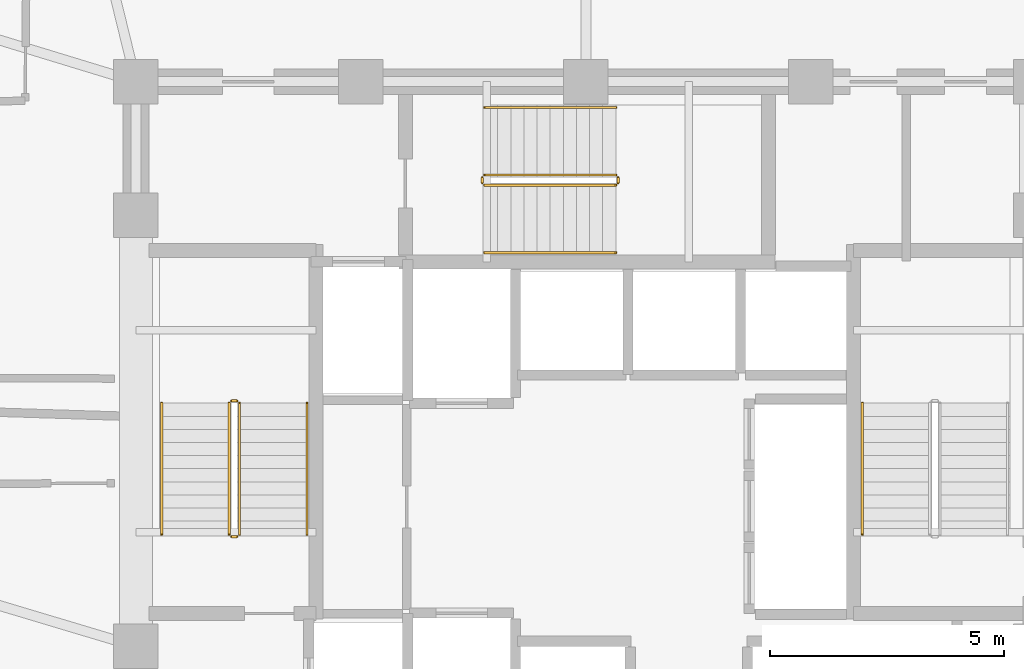
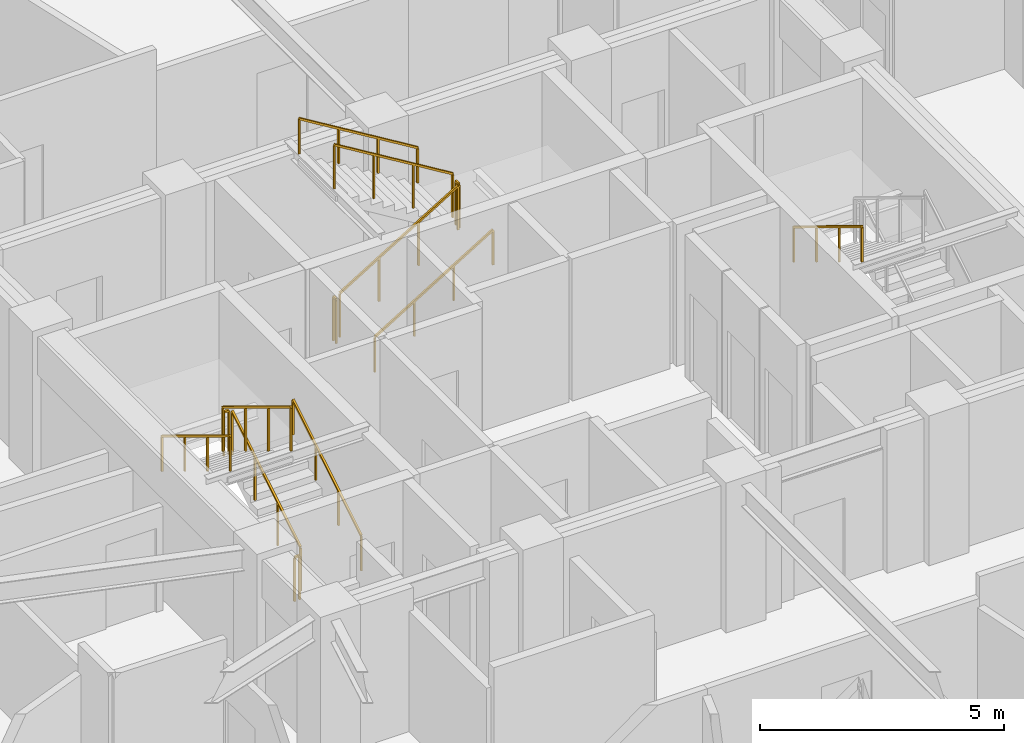
# One storey, part 13 of 15: 13 railings.
"""IFC4 building model written with IfcOpenShell, lengths in metres."""

import ifcopenshell
import ifcopenshell.guid

model = None  # the IFC model being written
_history = None  # IfcOwnerHistory: only IFC2X3 demands one
_inside = {}  # id of a spatial element -> (the spatial element, [elements in it])
_under = {}  # id of a project, library or spatial element -> (it, [spatial elements below it])
_declared = {}  # id of a project -> (the project, [libraries it declares])
_typed = {}  # id of a type object -> (the type object, [elements of that type])
_made_of = {}  # id of a material, layer set ... -> (it, [elements and type objects made of it])


def new_model(schema):
    """Start an empty IFC model of exactly this schema.

    Asked for "IFC4X3", IfcOpenShell would pick the latest addendum, in which some entities
    have other attributes; the version numbers below select the first issue.
    IFC2X3 requires an IfcOwnerHistory on every rooted entity: one is made here for all.
    """
    global model, _history
    if schema == "IFC4X3":
        model = ifcopenshell.file(schema_version=(4, 3, 0, 0))
    else:
        model = ifcopenshell.file(schema=schema)
    _inside.clear()
    _under.clear()
    _declared.clear()
    _typed.clear()
    _made_of.clear()
    _history = None
    if model.schema == "IFC2X3":
        org = make("IfcOrganization", Name="unknown")
        user = make(
            "IfcPersonAndOrganization",
            ThePerson=make("IfcPerson", FamilyName="unknown"),
            TheOrganization=org,
        )
        app = make(
            "IfcApplication",
            ApplicationDeveloper=org,
            Version="unknown",
            ApplicationFullName="unknown",
            ApplicationIdentifier="unknown",
        )
        _history = make(
            "IfcOwnerHistory",
            OwningUser=user,
            OwningApplication=app,
            ChangeAction="ADDED",
            CreationDate=0,
        )
    return model


def make(cls, **values):
    """One entity of the class cls with the attributes given. An attribute that is None is left unset."""
    return model.create_entity(
        cls, **{name: value for name, value in values.items() if value is not None}
    )


def rooted(cls, **values):
    """An entity with a GlobalId (a new one), such as an element, a storey or a relation."""
    return make(cls, GlobalId=ifcopenshell.guid.new(), OwnerHistory=_history, **values)


def si_unit(unit_type, name, prefix=None):
    """IfcSIUnit, for example si_unit("LENGTHUNIT", "METRE", prefix="MILLI")."""
    return make("IfcSIUnit", UnitType=unit_type, Prefix=prefix, Name=name)


def assignment(units):
    """IfcUnitAssignment: the units of a project."""
    return None if units is None else make("IfcUnitAssignment", Units=units)


def point(xyz):
    """IfcCartesianPoint."""
    return None if xyz is None else make("IfcCartesianPoint", Coordinates=xyz)


def direction(xyz):
    """IfcDirection."""
    return None if xyz is None else make("IfcDirection", DirectionRatios=xyz)


def frame(location, z_axis=None, x_axis=None):
    """IfcAxis2Placement3D, a coordinate frame: its origin and axes. An axis left out is left unset."""
    return make(
        "IfcAxis2Placement3D",
        Location=point(location),
        Axis=direction(z_axis),
        RefDirection=direction(x_axis),
    )


def frame_2d(location, x_axis=None):
    """IfcAxis2Placement2D, a coordinate frame in the plane: its origin and x axis."""
    return make(
        "IfcAxis2Placement2D", Location=point(location), RefDirection=direction(x_axis)
    )


def origin():
    """The frame at (0, 0, 0) with its axes left unset."""
    return frame((0.0, 0.0, 0.0))


def origin_2d():
    """The frame at (0, 0) in the plane with its x axis left unset."""
    return frame_2d((0.0, 0.0))


def place(relative_to, where):
    """IfcLocalPlacement: puts the frame where relative to a parent placement (None: the world)."""
    return make(
        "IfcLocalPlacement", PlacementRelTo=relative_to, RelativePlacement=where
    )


def context(
    kind, dimensions, precision=None, world=None, true_north=None, identifier=None
):
    """IfcGeometricRepresentationContext, for example the 3D "Model" context."""
    return make(
        "IfcGeometricRepresentationContext",
        ContextIdentifier=identifier,
        ContextType=kind,
        CoordinateSpaceDimension=dimensions,
        Precision=precision,
        WorldCoordinateSystem=world,
        TrueNorth=true_north,
    )


def subcontext(parent, identifier, kind, view, scale=None):
    """IfcGeometricRepresentationSubContext, for example "Body" below "Model"."""
    return make(
        "IfcGeometricRepresentationSubContext",
        ContextIdentifier=identifier,
        ContextType=kind,
        ParentContext=parent,
        TargetScale=scale,
        TargetView=view,
    )


def project(units=None, contexts=None):
    """IfcProject with its units and contexts."""
    return rooted(
        "IfcProject",
        Name="project",
        RepresentationContexts=contexts,
        UnitsInContext=assignment(units),
    )


def spatial(cls, under=None, at=None, **own):
    """A site, building, storey or space (cls), placed at a placement, below another one or the project."""
    s = rooted(cls, ObjectPlacement=at, **own)
    if under is not None:
        _under.setdefault(under.id(), (under, []))[1].append(s)
    return s


def profile(cls, at=None, kind="AREA", **sizes):
    """A parametric profile (cls). Its sizes go by their IFC names, for example OverallWidth=200.0."""
    return make(cls, ProfileType=kind, Position=at, **sizes)


def rectangle(**sizes):
    """IfcRectangleProfileDef."""
    return profile("IfcRectangleProfileDef", **sizes)


def extrude(swept, where, along, depth):
    """IfcExtrudedAreaSolid: the profile swept, set in the frame where, extruded along a direction by depth."""
    return make(
        "IfcExtrudedAreaSolid",
        SweptArea=swept,
        Position=where,
        ExtrudedDirection=direction(along),
        Depth=depth,
    )


def shape(context_of_items, identifier, shape_type, items):
    """IfcShapeRepresentation: the items that make up one representation, for example the "Body"."""
    return make(
        "IfcShapeRepresentation",
        ContextOfItems=context_of_items,
        RepresentationIdentifier=identifier,
        RepresentationType=shape_type,
        Items=items,
    )


def material(Name=None, Category=None):
    """IfcMaterial."""
    return make("IfcMaterial", Name=Name, Category=Category)


def made_of(thing, what):
    """Note that an element or type object is made of a material, layer set ...; save() writes the relation."""
    if what is not None:
        _made_of.setdefault(what.id(), (what, []))[1].append(thing)
    return thing


def type_object(cls, material=None, **own):
    """A type object (cls), such as IfcWallType, which elements share."""
    return made_of(rooted(cls, **own), material)


def element(
    cls,
    number,
    at=None,
    inside=None,
    cuts=None,
    type_object=None,
    material=None,
    context=None,
    identifier="Body",
    shape_type=None,
    held_by="IfcProductDefinitionShape",
    body=None,
    shapes=None,
    **own,
):
    """One element of the class cls, such as IfcWall. Its Tag is "e" and its number.

    at: its placement. inside: the storey or other place that contains it. cuts: it is an
    opening in that element (IfcRelVoidsElement). A single representation is given by context,
    identifier, shape_type and body (its items); several are given by shapes. held_by: the class
    of the entity that holds the representations. save() writes the other relations.
    """
    e = rooted(cls, Tag="e%d" % number, ObjectPlacement=at, **own)
    if body is not None:
        shapes = [shape(context, identifier, shape_type, body)]
    if shapes is not None:
        e.Representation = make(held_by, Representations=shapes)
    if inside is not None:
        _inside.setdefault(inside.id(), (inside, []))[1].append(e)
    if cuts is not None:
        rooted(
            "IfcRelVoidsElement", RelatingBuildingElement=cuts, RelatedOpeningElement=e
        )
    if type_object is not None:
        _typed.setdefault(type_object.id(), (type_object, []))[1].append(e)
    return made_of(e, material)


def aggregate(whole, parts):
    """IfcRelAggregates: a whole, such as a stair, and the parts it consists of."""
    return rooted("IfcRelAggregates", RelatingObject=whole, RelatedObjects=parts)


def save(model, path):
    """Write the relations noted so far, then the file.

    IfcRelAggregates (storeys below a building ...), IfcRelContainedInSpatialStructure (elements
    in a storey), IfcRelDefinesByType, IfcRelAssociatesMaterial and IfcRelDeclares: one each for
    every whole, place, type object, material and project.
    """
    for whole, parts in _under.values():
        aggregate(whole, parts)
    for where, things in _inside.values():
        rooted(
            "IfcRelContainedInSpatialStructure",
            RelatedElements=things,
            RelatingStructure=where,
        )
    for kind, things in _typed.values():
        rooted("IfcRelDefinesByType", RelatedObjects=things, RelatingType=kind)
    for what, things in _made_of.values():
        rooted("IfcRelAssociatesMaterial", RelatedObjects=things, RelatingMaterial=what)
    for by, libraries in _declared.values():
        rooted("IfcRelDeclares", RelatingContext=by, RelatedDefinitions=libraries)
    model.write(path)


model = new_model("IFC4")

# Units and contexts
model_context = context("Model", 3, precision=1e-05, world=origin(), true_north=direction((0.0, 1.0)))
body_context = subcontext(model_context, "Body", "Model", "MODEL_VIEW")
ifc_project = project(units=[si_unit("LENGTHUNIT", "METRE"), si_unit("AREAUNIT", "SQUARE_METRE"), si_unit("VOLUMEUNIT", "CUBIC_METRE"), si_unit("PLANEANGLEUNIT", "RADIAN"), si_unit("MASSUNIT", "GRAM", prefix="KILO")], contexts=[model_context])

# Site, building, storey
site_placement = place(None, origin())
site = spatial("IfcSite", under=ifc_project, at=site_placement, CompositionType="ELEMENT")
building_placement = place(site_placement, origin())
building = spatial("IfcBuilding", under=site, at=building_placement, Name="Vantalir Tower", CompositionType="ELEMENT")
storey_placement = place(building_placement, frame((0.0, 0.0, 134.699951171875)))
storey = spatial("IfcBuildingStorey", under=building, at=storey_placement, Name="L33", CompositionType="ELEMENT", Elevation=134.699951171875)

# Railings
ifc_material_1 = material(Name="Anodised aluminium and stainless steel guard", Category="steel")
railing_type_1 = type_object("IfcRailingType", Name="RAL-GUARD-1120", PredefinedType="GUARDRAIL", material=ifc_material_1)
railing_1_placement = place(storey_placement, frame((24.110107421875, 22.7900390625, 0.17041015625)))
element("IfcRailing", 1, at=railing_1_placement, inside=storey, type_object=railing_type_1, Name="L33 ST1 stair guard 1", PredefinedType="GUARDRAIL", context=body_context, shape_type="SweptSolid", body=[
    extrude(rectangle(XDim=0.048095703125, YDim=0.048095703125, at=origin_2d()), frame((0.0, 0.0, 1.09619140625), z_axis=(0.0, 0.854169791009, 0.51999420009), x_axis=(-1.0, 0.0, 0.0)), (0.0, 0.0, 1.0), 3.278076171875),
    extrude(rectangle(XDim=0.0419921875, YDim=0.0419921875, at=origin_2d()), origin(), (0.0, 0.0, 1.0), 1.072021484375),
    extrude(rectangle(XDim=0.0419921875, YDim=0.0419921875, at=origin_2d()), frame((0.0, 0.933349609375, 0.568115234375)), (0.0, 0.0, 1.0), 1.072021484375),
    extrude(rectangle(XDim=0.0419921875, YDim=0.0419921875, at=origin_2d()), frame((0.0, 1.86669921875, 1.136474609375)), (0.0, 0.0, 1.0), 1.072021484375),
    extrude(rectangle(XDim=0.0419921875, YDim=0.0419921875, at=origin_2d()), frame((0.0, 2.800048828125, 1.70458984375)), (0.0, 0.0, 1.0), 1.072021484375),
])
railing_2_placement = place(storey_placement, frame((24.06005859375, 25.639892578125, 1.875)))
element("IfcRailing", 2, at=railing_2_placement, inside=storey, type_object=railing_type_1, Name="L33 ST1 stair guard 2", PredefinedType="GUARDRAIL", context=body_context, shape_type="SweptSolid", body=[
    extrude(rectangle(XDim=0.048095703125, YDim=0.048095703125, at=origin_2d()), frame((0.0, 0.0, 1.09619140625), z_axis=(-1.0, 0.0, 0.0), x_axis=(0.0, -1.0, 0.0)), (0.0, 0.0, 1.0), 0.1201171875),
    extrude(rectangle(XDim=0.0419921875, YDim=0.0419921875, at=origin_2d()), origin(), (0.0, 0.0, 1.0), 1.072021484375),
    extrude(rectangle(XDim=0.0419921875, YDim=0.0419921875, at=origin_2d()), frame((-0.1201171875, 0.0, 0.0)), (0.0, 0.0, 1.0), 1.072021484375),
])
railing_3_placement = place(storey_placement, frame((23.889892578125, 25.590087890625, 2.04541015625)))
element("IfcRailing", 3, at=railing_3_placement, inside=storey, type_object=railing_type_1, Name="L33 ST1 stair guard 3", PredefinedType="GUARDRAIL", context=body_context, shape_type="SweptSolid", body=[
    extrude(rectangle(XDim=0.048095703125, YDim=0.048095703125, at=origin_2d()), frame((0.0, 0.0, 1.09619140625), z_axis=(0.0, -0.854169791009, 0.51999420009), x_axis=(1.0, 0.0, 0.0)), (0.0, 0.0, 1.0), 3.278076171875),
    extrude(rectangle(XDim=0.0419921875, YDim=0.0419921875, at=origin_2d()), origin(), (0.0, 0.0, 1.0), 1.072021484375),
    extrude(rectangle(XDim=0.0419921875, YDim=0.0419921875, at=origin_2d()), frame((0.0, -0.933349609375, 0.568115234375)), (0.0, 0.0, 1.0), 1.072021484375),
    extrude(rectangle(XDim=0.0419921875, YDim=0.0419921875, at=origin_2d()), frame((0.0, -1.86669921875, 1.136474609375)), (0.0, 0.0, 1.0), 1.072021484375),
    extrude(rectangle(XDim=0.0419921875, YDim=0.0419921875, at=origin_2d()), frame((0.0, -2.800048828125, 1.70458984375)), (0.0, 0.0, 1.0), 1.072021484375),
])
railing_4_placement = place(storey_placement, frame((24.06005859375, 22.739990234375, 0.0)))
element("IfcRailing", 4, at=railing_4_placement, inside=storey, type_object=railing_type_1, Name="L33 ST1 stair guard 4", PredefinedType="GUARDRAIL", context=body_context, shape_type="SweptSolid", body=[
    extrude(rectangle(XDim=0.048095703125, YDim=0.048095703125, at=origin_2d()), frame((0.0, 0.0, 1.09619140625), z_axis=(-1.0, 0.0, 0.0), x_axis=(0.0, -1.0, 0.0)), (0.0, 0.0, 1.0), 0.1201171875),
    extrude(rectangle(XDim=0.0419921875, YDim=0.0419921875, at=origin_2d()), origin(), (0.0, 0.0, 1.0), 1.072021484375),
    extrude(rectangle(XDim=0.0419921875, YDim=0.0419921875, at=origin_2d()), frame((-0.1201171875, 0.0, 0.0)), (0.0, 0.0, 1.0), 1.072021484375),
])
railing_5_placement = place(storey_placement, frame((29.340087890625, 30.239990234375, 0.17041015625)))
element("IfcRailing", 5, at=railing_5_placement, inside=storey, type_object=railing_type_1, Name="L33 ST3 stair guard 1", PredefinedType="GUARDRAIL", context=body_context, shape_type="SweptSolid", body=[
    extrude(rectangle(XDim=0.048095703125, YDim=0.048095703125, at=origin_2d()), frame((0.0, 0.0, 1.09619140625), z_axis=(0.854149651119, 0.0, 0.520027281489), x_axis=(0.0, 1.0, 0.0)), (0.0, 0.0, 1.0), 3.27783203125),
    extrude(rectangle(XDim=0.0419921875, YDim=0.0419921875, at=origin_2d()), origin(), (0.0, 0.0, 1.0), 1.072021484375),
    extrude(rectangle(XDim=0.0419921875, YDim=0.0419921875, at=origin_2d()), frame((0.933349609375, 0.0, 0.568115234375)), (0.0, 0.0, 1.0), 1.072021484375),
    extrude(rectangle(XDim=0.0419921875, YDim=0.0419921875, at=origin_2d()), frame((1.866455078125, 0.0, 1.136474609375)), (0.0, 0.0, 1.0), 1.072021484375),
    extrude(rectangle(XDim=0.0419921875, YDim=0.0419921875, at=origin_2d()), frame((2.7998046875, 0.0, 1.70458984375)), (0.0, 0.0, 1.0), 1.072021484375),
])
railing_6_placement = place(storey_placement, frame((32.18994140625, 30.2900390625, 1.875)))
element("IfcRailing", 6, at=railing_6_placement, inside=storey, type_object=railing_type_1, Name="L33 ST3 stair guard 2", PredefinedType="GUARDRAIL", context=body_context, shape_type="SweptSolid", body=[
    extrude(rectangle(XDim=0.048095703125, YDim=0.048095703125, at=origin_2d()), frame((0.0, 0.0, 1.09619140625), z_axis=(0.0, 1.0, 0.0), x_axis=(-1.0, 0.0, 0.0)), (0.0, 0.0, 1.0), 0.119873046875),
    extrude(rectangle(XDim=0.0419921875, YDim=0.0419921875, at=origin_2d()), origin(), (0.0, 0.0, 1.0), 1.072021484375),
    extrude(rectangle(XDim=0.0419921875, YDim=0.0419921875, at=origin_2d()), frame((0.0, 0.119873046875, 0.0)), (0.0, 0.0, 1.0), 1.072021484375),
])
railing_7_placement = place(storey_placement, frame((32.139892578125, 30.4599609375, 2.04541015625)))
element("IfcRailing", 7, at=railing_7_placement, inside=storey, type_object=railing_type_1, Name="L33 ST3 stair guard 3", PredefinedType="GUARDRAIL", context=body_context, shape_type="SweptSolid", body=[
    extrude(rectangle(XDim=0.048095703125, YDim=0.048095703125, at=origin_2d()), frame((0.0, 0.0, 1.09619140625), z_axis=(-0.854149651119, 0.0, 0.520027281489), x_axis=(0.0, -1.0, 0.0)), (0.0, 0.0, 1.0), 3.27783203125),
    extrude(rectangle(XDim=0.0419921875, YDim=0.0419921875, at=origin_2d()), origin(), (0.0, 0.0, 1.0), 1.072021484375),
    extrude(rectangle(XDim=0.0419921875, YDim=0.0419921875, at=origin_2d()), frame((-0.933349609375, 0.0, 0.568115234375)), (0.0, 0.0, 1.0), 1.072021484375),
    extrude(rectangle(XDim=0.0419921875, YDim=0.0419921875, at=origin_2d()), frame((-1.866455078125, 0.0, 1.136474609375)), (0.0, 0.0, 1.0), 1.072021484375),
    extrude(rectangle(XDim=0.0419921875, YDim=0.0419921875, at=origin_2d()), frame((-2.7998046875, 0.0, 1.70458984375)), (0.0, 0.0, 1.0), 1.072021484375),
])
railing_8_placement = place(storey_placement, frame((29.2900390625, 30.2900390625, 0.0)))
element("IfcRailing", 8, at=railing_8_placement, inside=storey, type_object=railing_type_1, Name="L33 ST3 stair guard 4", PredefinedType="GUARDRAIL", context=body_context, shape_type="SweptSolid", body=[
    extrude(rectangle(XDim=0.048095703125, YDim=0.048095703125, at=origin_2d()), frame((0.0, 0.0, 1.09619140625), z_axis=(0.0, 1.0, 0.0), x_axis=(-1.0, 0.0, 0.0)), (0.0, 0.0, 1.0), 0.119873046875),
    extrude(rectangle(XDim=0.0419921875, YDim=0.0419921875, at=origin_2d()), origin(), (0.0, 0.0, 1.0), 1.072021484375),
    extrude(rectangle(XDim=0.0419921875, YDim=0.0419921875, at=origin_2d()), frame((0.0, 0.119873046875, 0.0)), (0.0, 0.0, 1.0), 1.072021484375),
])
ifc_material_2 = material(Name="Brushed stainless steel tubular handrail", Category="steel")
railing_type_2 = type_object("IfcRailingType", Name="RAL-HANDRAIL-900", PredefinedType="HANDRAIL", material=ifc_material_2)
railing_9_placement = place(storey_placement, frame((25.550048828125, 22.7900390625, 0.17041015625)))
element("IfcRailing", 9, at=railing_9_placement, inside=storey, type_object=railing_type_2, Name="L33 ST1 stair handrail 1", PredefinedType="HANDRAIL", context=body_context, shape_type="SweptSolid", body=[
    extrude(rectangle(XDim=0.048095703125, YDim=0.048095703125, at=origin_2d()), frame((0.0, 0.0, 0.8759765625), z_axis=(0.0, 0.854169791009, 0.51999420009), x_axis=(-1.0, 0.0, 0.0)), (0.0, 0.0, 1.0), 3.278076171875),
    extrude(rectangle(XDim=0.0419921875, YDim=0.0419921875, at=origin_2d()), origin(), (0.0, 0.0, 1.0), 0.851806640625),
    extrude(rectangle(XDim=0.0419921875, YDim=0.0419921875, at=origin_2d()), frame((0.0, 0.933349609375, 0.568115234375)), (0.0, 0.0, 1.0), 0.851806640625),
    extrude(rectangle(XDim=0.0419921875, YDim=0.0419921875, at=origin_2d()), frame((0.0, 1.86669921875, 1.136474609375)), (0.0, 0.0, 1.0), 0.851806640625),
    extrude(rectangle(XDim=0.0419921875, YDim=0.0419921875, at=origin_2d()), frame((0.0, 2.800048828125, 1.70458984375)), (0.0, 0.0, 1.0), 0.851806640625),
])
for number, where, name in (
    (10, (22.449951171875, 25.590087890625, 2.04541015625), "L33 ST1 stair handrail 2"),
    (11, (37.39990234375, 25.590087890625, 2.04541015625), "L33 ST2 stair handrail 2"),
):
    element("IfcRailing", number, at=place(storey_placement, frame(where)), inside=storey, type_object=railing_type_2, Name=name, PredefinedType="HANDRAIL", context=body_context, shape_type="SweptSolid", body=[
        extrude(rectangle(XDim=0.048095703125, YDim=0.048095703125, at=origin_2d()), frame((0.0, 0.0, 0.8759765625), z_axis=(0.0, -0.854169791009, 0.51999420009), x_axis=(1.0, 0.0, 0.0)), (0.0, 0.0, 1.0), 3.278076171875),
        extrude(rectangle(XDim=0.0419921875, YDim=0.0419921875, at=origin_2d()), origin(), (0.0, 0.0, 1.0), 0.851806640625),
        extrude(rectangle(XDim=0.0419921875, YDim=0.0419921875, at=origin_2d()), frame((0.0, -0.933349609375, 0.568115234375)), (0.0, 0.0, 1.0), 0.851806640625),
        extrude(rectangle(XDim=0.0419921875, YDim=0.0419921875, at=origin_2d()), frame((0.0, -1.86669921875, 1.136474609375)), (0.0, 0.0, 1.0), 0.851806640625),
        extrude(rectangle(XDim=0.0419921875, YDim=0.0419921875, at=origin_2d()), frame((0.0, -2.800048828125, 1.70458984375)), (0.0, 0.0, 1.0), 0.851806640625),
    ])
railing_10_placement = place(storey_placement, frame((29.340087890625, 28.800048828125, 0.17041015625)))
element("IfcRailing", 12, at=railing_10_placement, inside=storey, type_object=railing_type_2, Name="L33 ST3 stair handrail 1", PredefinedType="HANDRAIL", context=body_context, shape_type="SweptSolid", body=[
    extrude(rectangle(XDim=0.048095703125, YDim=0.048095703125, at=origin_2d()), frame((0.0, 0.0, 0.8759765625), z_axis=(0.854149651119, 0.0, 0.520027281489), x_axis=(0.0, 1.0, 0.0)), (0.0, 0.0, 1.0), 3.27783203125),
    extrude(rectangle(XDim=0.0419921875, YDim=0.0419921875, at=origin_2d()), origin(), (0.0, 0.0, 1.0), 0.851806640625),
    extrude(rectangle(XDim=0.0419921875, YDim=0.0419921875, at=origin_2d()), frame((0.933349609375, 0.0, 0.568115234375)), (0.0, 0.0, 1.0), 0.851806640625),
    extrude(rectangle(XDim=0.0419921875, YDim=0.0419921875, at=origin_2d()), frame((1.866455078125, 0.0, 1.136474609375)), (0.0, 0.0, 1.0), 0.851806640625),
    extrude(rectangle(XDim=0.0419921875, YDim=0.0419921875, at=origin_2d()), frame((2.7998046875, 0.0, 1.70458984375)), (0.0, 0.0, 1.0), 0.851806640625),
])
railing_11_placement = place(storey_placement, frame((32.139892578125, 31.89990234375, 2.04541015625)))
element("IfcRailing", 13, at=railing_11_placement, inside=storey, type_object=railing_type_2, Name="L33 ST3 stair handrail 2", PredefinedType="HANDRAIL", context=body_context, shape_type="SweptSolid", body=[
    extrude(rectangle(XDim=0.048095703125, YDim=0.048095703125, at=origin_2d()), frame((0.0, 0.0, 0.8759765625), z_axis=(-0.854149651119, 0.0, 0.520027281489), x_axis=(0.0, -1.0, 0.0)), (0.0, 0.0, 1.0), 3.27783203125),
    extrude(rectangle(XDim=0.0419921875, YDim=0.0419921875, at=origin_2d()), origin(), (0.0, 0.0, 1.0), 0.851806640625),
    extrude(rectangle(XDim=0.0419921875, YDim=0.0419921875, at=origin_2d()), frame((-0.933349609375, 0.0, 0.568115234375)), (0.0, 0.0, 1.0), 0.851806640625),
    extrude(rectangle(XDim=0.0419921875, YDim=0.0419921875, at=origin_2d()), frame((-1.866455078125, 0.0, 1.136474609375)), (0.0, 0.0, 1.0), 0.851806640625),
    extrude(rectangle(XDim=0.0419921875, YDim=0.0419921875, at=origin_2d()), frame((-2.7998046875, 0.0, 1.70458984375)), (0.0, 0.0, 1.0), 0.851806640625),
])

save(model, "model.ifc")
